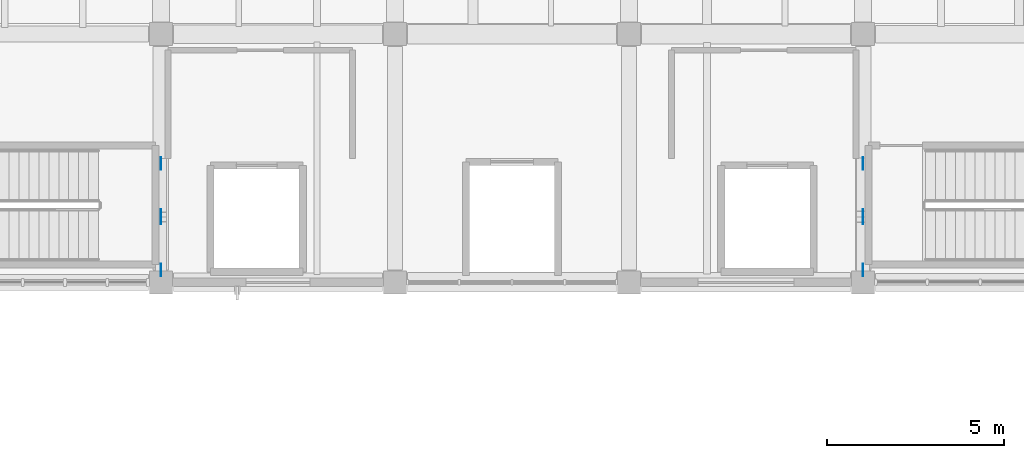
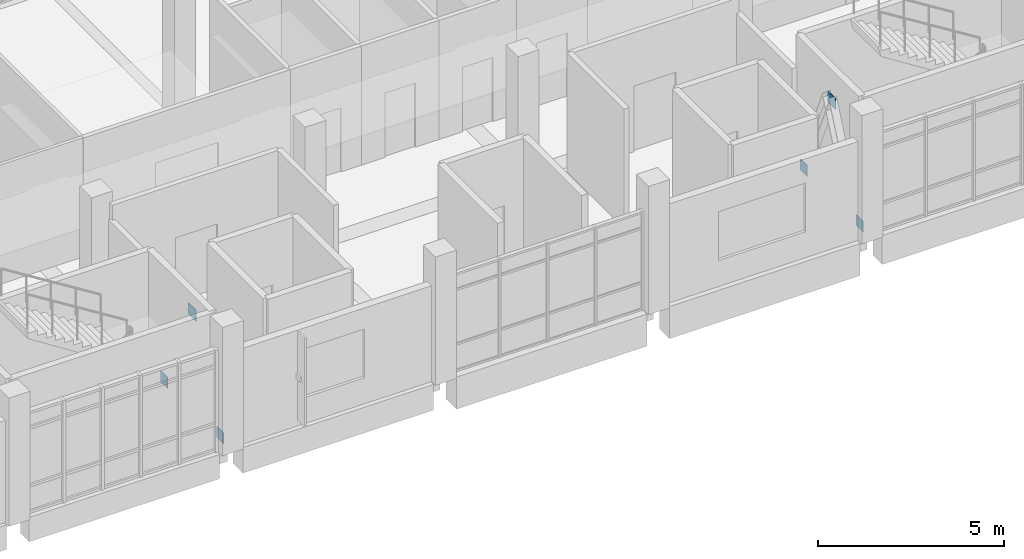
# One storey, part 10 of 16: 6 plates.
"""IFC4 building model written with IfcOpenShell, lengths in metres."""

import ifcopenshell
import ifcopenshell.guid

model = None  # the IFC model being written
_history = None  # IfcOwnerHistory: only IFC2X3 demands one
_inside = {}  # id of a spatial element -> (the spatial element, [elements in it])
_under = {}  # id of a project, library or spatial element -> (it, [spatial elements below it])
_declared = {}  # id of a project -> (the project, [libraries it declares])
_typed = {}  # id of a type object -> (the type object, [elements of that type])
_made_of = {}  # id of a material, layer set ... -> (it, [elements and type objects made of it])


def new_model(schema):
    """Start an empty IFC model of exactly this schema.

    Asked for "IFC4X3", IfcOpenShell would pick the latest addendum, in which some entities
    have other attributes; the version numbers below select the first issue.
    IFC2X3 requires an IfcOwnerHistory on every rooted entity: one is made here for all.
    """
    global model, _history
    if schema == "IFC4X3":
        model = ifcopenshell.file(schema_version=(4, 3, 0, 0))
    else:
        model = ifcopenshell.file(schema=schema)
    _inside.clear()
    _under.clear()
    _declared.clear()
    _typed.clear()
    _made_of.clear()
    _history = None
    if model.schema == "IFC2X3":
        org = make("IfcOrganization", Name="unknown")
        user = make(
            "IfcPersonAndOrganization",
            ThePerson=make("IfcPerson", FamilyName="unknown"),
            TheOrganization=org,
        )
        app = make(
            "IfcApplication",
            ApplicationDeveloper=org,
            Version="unknown",
            ApplicationFullName="unknown",
            ApplicationIdentifier="unknown",
        )
        _history = make(
            "IfcOwnerHistory",
            OwningUser=user,
            OwningApplication=app,
            ChangeAction="ADDED",
            CreationDate=0,
        )
    return model


def make(cls, **values):
    """One entity of the class cls with the attributes given. An attribute that is None is left unset."""
    return model.create_entity(
        cls, **{name: value for name, value in values.items() if value is not None}
    )


def rooted(cls, **values):
    """An entity with a GlobalId (a new one), such as an element, a storey or a relation."""
    return make(cls, GlobalId=ifcopenshell.guid.new(), OwnerHistory=_history, **values)


def si_unit(unit_type, name, prefix=None):
    """IfcSIUnit, for example si_unit("LENGTHUNIT", "METRE", prefix="MILLI")."""
    return make("IfcSIUnit", UnitType=unit_type, Prefix=prefix, Name=name)


def assignment(units):
    """IfcUnitAssignment: the units of a project."""
    return None if units is None else make("IfcUnitAssignment", Units=units)


def point(xyz):
    """IfcCartesianPoint."""
    return None if xyz is None else make("IfcCartesianPoint", Coordinates=xyz)


def direction(xyz):
    """IfcDirection."""
    return None if xyz is None else make("IfcDirection", DirectionRatios=xyz)


def frame(location, z_axis=None, x_axis=None):
    """IfcAxis2Placement3D, a coordinate frame: its origin and axes. An axis left out is left unset."""
    return make(
        "IfcAxis2Placement3D",
        Location=point(location),
        Axis=direction(z_axis),
        RefDirection=direction(x_axis),
    )


def frame_2d(location, x_axis=None):
    """IfcAxis2Placement2D, a coordinate frame in the plane: its origin and x axis."""
    return make(
        "IfcAxis2Placement2D", Location=point(location), RefDirection=direction(x_axis)
    )


def origin():
    """The frame at (0, 0, 0) with its axes left unset."""
    return frame((0.0, 0.0, 0.0))


def origin_2d():
    """The frame at (0, 0) in the plane with its x axis left unset."""
    return frame_2d((0.0, 0.0))


def place(relative_to, where):
    """IfcLocalPlacement: puts the frame where relative to a parent placement (None: the world)."""
    return make(
        "IfcLocalPlacement", PlacementRelTo=relative_to, RelativePlacement=where
    )


def context(
    kind, dimensions, precision=None, world=None, true_north=None, identifier=None
):
    """IfcGeometricRepresentationContext, for example the 3D "Model" context."""
    return make(
        "IfcGeometricRepresentationContext",
        ContextIdentifier=identifier,
        ContextType=kind,
        CoordinateSpaceDimension=dimensions,
        Precision=precision,
        WorldCoordinateSystem=world,
        TrueNorth=true_north,
    )


def subcontext(parent, identifier, kind, view, scale=None):
    """IfcGeometricRepresentationSubContext, for example "Body" below "Model"."""
    return make(
        "IfcGeometricRepresentationSubContext",
        ContextIdentifier=identifier,
        ContextType=kind,
        ParentContext=parent,
        TargetScale=scale,
        TargetView=view,
    )


def project(units=None, contexts=None):
    """IfcProject with its units and contexts."""
    return rooted(
        "IfcProject",
        Name="project",
        RepresentationContexts=contexts,
        UnitsInContext=assignment(units),
    )


def spatial(cls, under=None, at=None, **own):
    """A site, building, storey or space (cls), placed at a placement, below another one or the project."""
    s = rooted(cls, ObjectPlacement=at, **own)
    if under is not None:
        _under.setdefault(under.id(), (under, []))[1].append(s)
    return s


def profile(cls, at=None, kind="AREA", **sizes):
    """A parametric profile (cls). Its sizes go by their IFC names, for example OverallWidth=200.0."""
    return make(cls, ProfileType=kind, Position=at, **sizes)


def rectangle(**sizes):
    """IfcRectangleProfileDef."""
    return profile("IfcRectangleProfileDef", **sizes)


def extrude(swept, where, along, depth):
    """IfcExtrudedAreaSolid: the profile swept, set in the frame where, extruded along a direction by depth."""
    return make(
        "IfcExtrudedAreaSolid",
        SweptArea=swept,
        Position=where,
        ExtrudedDirection=direction(along),
        Depth=depth,
    )


def shape(context_of_items, identifier, shape_type, items):
    """IfcShapeRepresentation: the items that make up one representation, for example the "Body"."""
    return make(
        "IfcShapeRepresentation",
        ContextOfItems=context_of_items,
        RepresentationIdentifier=identifier,
        RepresentationType=shape_type,
        Items=items,
    )


def material(Name=None, Category=None):
    """IfcMaterial."""
    return make("IfcMaterial", Name=Name, Category=Category)


def layer(
    of_material, thickness, ventilated=None, Name=None, Category=None, Priority=None
):
    """IfcMaterialLayer: one layer of a wall or slab, of a material (None: an air gap)."""
    return make(
        "IfcMaterialLayer",
        Material=of_material,
        LayerThickness=thickness,
        IsVentilated=ventilated,
        Name=Name,
        Category=Category,
        Priority=Priority,
    )


def layer_set(layers, Name=None):
    """IfcMaterialLayerSet."""
    return make("IfcMaterialLayerSet", MaterialLayers=layers, LayerSetName=Name)


def made_of(thing, what):
    """Note that an element or type object is made of a material, layer set ...; save() writes the relation."""
    if what is not None:
        _made_of.setdefault(what.id(), (what, []))[1].append(thing)
    return thing


def type_object(cls, material=None, **own):
    """A type object (cls), such as IfcWallType, which elements share."""
    return made_of(rooted(cls, **own), material)


def element(
    cls,
    number,
    at=None,
    inside=None,
    cuts=None,
    type_object=None,
    material=None,
    context=None,
    identifier="Body",
    shape_type=None,
    held_by="IfcProductDefinitionShape",
    body=None,
    shapes=None,
    **own,
):
    """One element of the class cls, such as IfcWall. Its Tag is "e" and its number.

    at: its placement. inside: the storey or other place that contains it. cuts: it is an
    opening in that element (IfcRelVoidsElement). A single representation is given by context,
    identifier, shape_type and body (its items); several are given by shapes. held_by: the class
    of the entity that holds the representations. save() writes the other relations.
    """
    e = rooted(cls, Tag="e%d" % number, ObjectPlacement=at, **own)
    if body is not None:
        shapes = [shape(context, identifier, shape_type, body)]
    if shapes is not None:
        e.Representation = make(held_by, Representations=shapes)
    if inside is not None:
        _inside.setdefault(inside.id(), (inside, []))[1].append(e)
    if cuts is not None:
        rooted(
            "IfcRelVoidsElement", RelatingBuildingElement=cuts, RelatedOpeningElement=e
        )
    if type_object is not None:
        _typed.setdefault(type_object.id(), (type_object, []))[1].append(e)
    return made_of(e, material)


def aggregate(whole, parts):
    """IfcRelAggregates: a whole, such as a stair, and the parts it consists of."""
    return rooted("IfcRelAggregates", RelatingObject=whole, RelatedObjects=parts)


def save(model, path):
    """Write the relations noted so far, then the file.

    IfcRelAggregates (storeys below a building ...), IfcRelContainedInSpatialStructure (elements
    in a storey), IfcRelDefinesByType, IfcRelAssociatesMaterial and IfcRelDeclares: one each for
    every whole, place, type object, material and project.
    """
    for whole, parts in _under.values():
        aggregate(whole, parts)
    for where, things in _inside.values():
        rooted(
            "IfcRelContainedInSpatialStructure",
            RelatedElements=things,
            RelatingStructure=where,
        )
    for kind, things in _typed.values():
        rooted("IfcRelDefinesByType", RelatedObjects=things, RelatingType=kind)
    for what, things in _made_of.values():
        rooted("IfcRelAssociatesMaterial", RelatedObjects=things, RelatingMaterial=what)
    for by, libraries in _declared.values():
        rooted("IfcRelDeclares", RelatingContext=by, RelatedDefinitions=libraries)
    model.write(path)


model = new_model("IFC4")

# Units and contexts
model_context = context("Model", 3, precision=1e-05, world=origin(), true_north=direction((0.0, 1.0)))
body_context = subcontext(model_context, "Body", "Model", "MODEL_VIEW")
ifc_project = project(units=[si_unit("LENGTHUNIT", "METRE"), si_unit("AREAUNIT", "SQUARE_METRE"), si_unit("VOLUMEUNIT", "CUBIC_METRE"), si_unit("PLANEANGLEUNIT", "RADIAN"), si_unit("MASSUNIT", "GRAM", prefix="KILO")], contexts=[model_context])

# Site, building, storey
site_placement = place(None, origin())
site = spatial("IfcSite", under=ifc_project, at=site_placement, CompositionType="ELEMENT")
building_placement = place(site_placement, origin())
building = spatial("IfcBuilding", under=site, at=building_placement, Name="Ciguamira Faculty of Natural Sciences", CompositionType="ELEMENT")
storey_placement = place(building_placement, frame((0.0, 0.0, 25.199951171875)))
storey = spatial("IfcBuildingStorey", under=building, at=storey_placement, Name="L06", CompositionType="ELEMENT", Elevation=25.199951171875)

# Plates
ifc_material = material(Name="Steel ASTM A572 Grade 50", Category="steel")
ifc_layer = layer(ifc_material, 0.02001953125, Name="Steel ASTM A572 Grade 50")
ifc_layer_set = layer_set([ifc_layer], Name="Steel ASTM A572 Grade 50")
plate_type = type_object("IfcPlateType", Name="GussetPlate_EP-02", PredefinedType="SHEET", material=ifc_layer_set)
plate_1_placement = place(storey_placement, frame((77.10009765625, 95.85009765625, 3.10009765625), z_axis=(0.0, 0.0, 1.0), x_axis=(1.0, 0.0, 0.0)))
element("IfcPlate", 1, at=plate_1_placement, inside=storey, type_object=plate_type, Name="L06 chevron brace apex gusset plate 015", PredefinedType="SHEET", context=body_context, shape_type="SweptSolid", body=[
    extrude(rectangle(XDim=0.02001953125, YDim=0.419921875, at=origin_2d()), origin(), (0.0, 0.0, 1.0), 0.360107421875),
])
for number, where, z_axis, x_axis, name in (
    (2, (77.10009765625, 94.35009765625, -0.02001953125), (0.0, 0.0, 1.0), (1.0, 0.0, 0.0), "L06 chevron brace base gusset plate 029"),
    (3, (77.10009765625, 97.35009765625, -0.02001953125), (0.0, 0.0, 1.0), (1.0, 0.0, 0.0), "L06 chevron brace base gusset plate 030"),
):
    element("IfcPlate", number, at=place(storey_placement, frame(where, z_axis=z_axis, x_axis=x_axis)), inside=storey, type_object=plate_type, Name=name, PredefinedType="SHEET", context=body_context, shape_type="SweptSolid", body=[
        extrude(rectangle(XDim=0.02001953125, YDim=0.360107421875, at=origin_2d()), origin(), (0.0, 0.0, 1.0), 0.360107421875),
    ])
plate_2_placement = place(storey_placement, frame((96.89990234375, 95.85009765625, 3.10009765625), z_axis=(0.0, 0.0, 1.0), x_axis=(1.0, 0.0, 0.0)))
element("IfcPlate", 4, at=plate_2_placement, inside=storey, type_object=plate_type, Name="L06 chevron brace apex gusset plate 016", PredefinedType="SHEET", context=body_context, shape_type="SweptSolid", body=[
    extrude(rectangle(XDim=0.02001953125, YDim=0.419921875, at=origin_2d()), origin(), (0.0, 0.0, 1.0), 0.360107421875),
])
for number, where, z_axis, x_axis, name in (
    (5, (96.89990234375, 94.35009765625, -0.02001953125), (0.0, 0.0, 1.0), (1.0, 0.0, 0.0), "L06 chevron brace base gusset plate 031"),
    (6, (96.89990234375, 97.35009765625, -0.02001953125), (0.0, 0.0, 1.0), (1.0, 0.0, 0.0), "L06 chevron brace base gusset plate 032"),
):
    element("IfcPlate", number, at=place(storey_placement, frame(where, z_axis=z_axis, x_axis=x_axis)), inside=storey, type_object=plate_type, Name=name, PredefinedType="SHEET", context=body_context, shape_type="SweptSolid", body=[
        extrude(rectangle(XDim=0.02001953125, YDim=0.360107421875, at=origin_2d()), origin(), (0.0, 0.0, 1.0), 0.360107421875),
    ])

save(model, "model.ifc")
